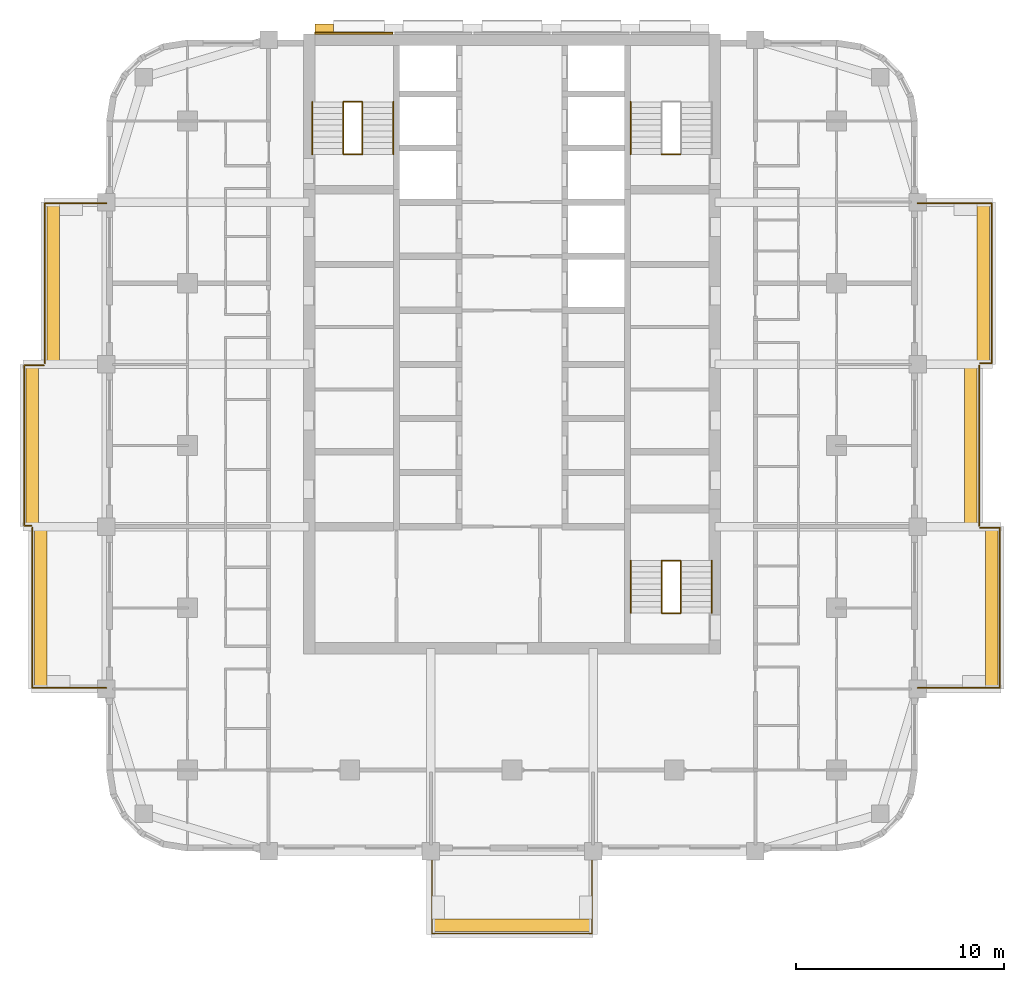
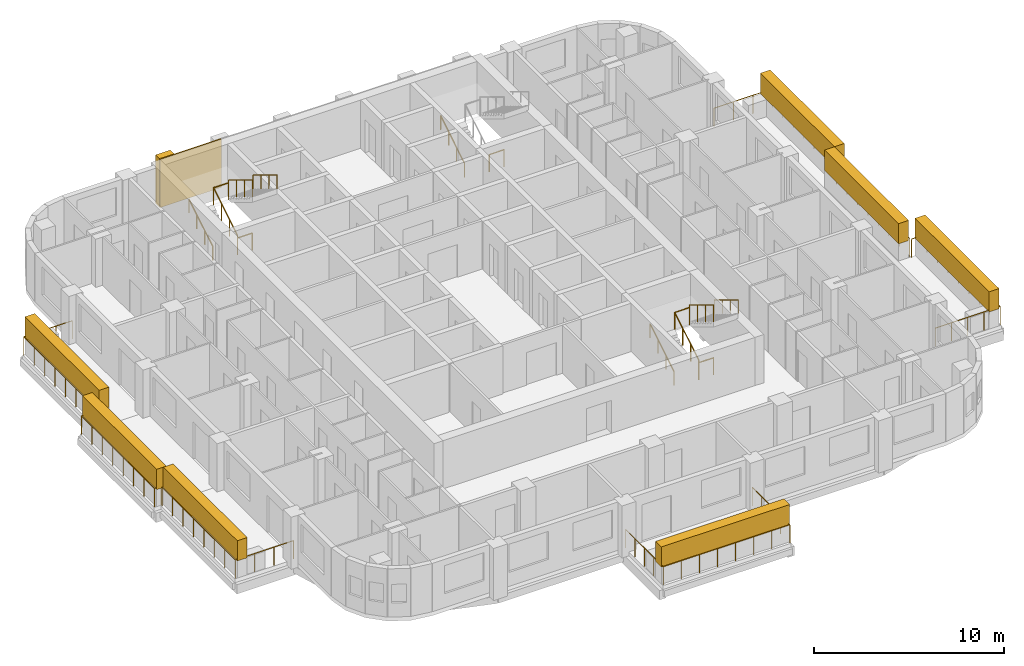
# One storey, part 13 of 14: 21 railings, 9 coverings, 3 elements without a shape of their own.
"""IFC4 building model written with IfcOpenShell, lengths in metres."""

from ifc_helpers import new_model, si_unit, direction, frame, origin, origin_2d, place, context, subcontext, project, spatial, rectangle, circle, extrude, material, layer, layer_set, type_object, element, aggregate, save


model = new_model("IFC4")

# Units and contexts
model_context = context("Model", 3, precision=1e-05, world=origin(), true_north=direction((0.0, 1.0)))
body_context = subcontext(model_context, "Body", "Model", "MODEL_VIEW")
ifc_project = project(units=[si_unit("LENGTHUNIT", "METRE"), si_unit("AREAUNIT", "SQUARE_METRE"), si_unit("VOLUMEUNIT", "CUBIC_METRE"), si_unit("PLANEANGLEUNIT", "RADIAN"), si_unit("MASSUNIT", "GRAM", prefix="KILO")], contexts=[model_context])

# Site, building, storey
site_placement = place(None, origin())
site = spatial("IfcSite", under=ifc_project, at=site_placement, CompositionType="ELEMENT")
building_placement = place(site_placement, origin())
building = spatial("IfcBuilding", under=site, at=building_placement, Name="Ludao Terraces", CompositionType="ELEMENT")
storey_placement = place(building_placement, frame((0.0, 0.0, 140.699951171875)))
storey = spatial("IfcBuildingStorey", under=building, at=storey_placement, Name="L38", CompositionType="ELEMENT", Elevation=140.699951171875)

# Railings
ifc_material_1 = material(Name="Stainless steel 304", Category="steel")
railing_type_1 = type_object("IfcRailingType", Name="ENV Balcony glass guard 1200", PredefinedType="GUARDRAIL", material=ifc_material_1)
railing_1_placement = place(storey_placement, frame((81.14990234375, 45.5, 0.0)))
element("IfcRailing", 1, at=railing_1_placement, inside=storey, type_object=railing_type_1, Name="Balcony guard L38 S1", PredefinedType="GUARDRAIL", context=body_context, shape_type="SweptSolid", body=[
    extrude(circle(Radius=0.02392578125, at=origin_2d()), frame((0.0, 0.0, 1.17578125), z_axis=(0.0, -1.0, 0.0), x_axis=(1.0, 0.0, 0.0)), (0.0, 0.0, 1.0), 3.949951171875),
    extrude(circle(Radius=0.02392578125, at=origin_2d()), frame((0.0, -3.949951171875, 1.17578125), z_axis=(1.0, 0.0, 0.0), x_axis=(0.0, 1.0, 0.0)), (0.0, 0.0, 1.0), 7.7001953125),
    extrude(circle(Radius=0.02392578125, at=origin_2d()), frame((7.7001953125, -3.949951171875, 1.17578125), z_axis=(0.0, 1.0, 0.0), x_axis=(-1.0, 0.0, 0.0)), (0.0, 0.0, 1.0), 3.949951171875),
    extrude(circle(Radius=0.02099609375, at=origin_2d()), origin(), (0.0, 0.0, 1.0), 1.15185546875),
    extrude(circle(Radius=0.02099609375, at=origin_2d()), frame((0.0, -0.987548828125, 0.0)), (0.0, 0.0, 1.0), 1.15185546875),
    extrude(circle(Radius=0.02099609375, at=origin_2d()), frame((0.0, -1.97509765625, 0.0)), (0.0, 0.0, 1.0), 1.15185546875),
    extrude(circle(Radius=0.02099609375, at=origin_2d()), frame((0.0, -2.96240234375, 0.0)), (0.0, 0.0, 1.0), 1.15185546875),
    extrude(circle(Radius=0.02099609375, at=origin_2d()), frame((0.0, -3.949951171875, 0.0)), (0.0, 0.0, 1.0), 1.15185546875),
    extrude(circle(Radius=0.02099609375, at=origin_2d()), frame((1.10009765625, -3.949951171875, 0.0)), (0.0, 0.0, 1.0), 1.15185546875),
    extrude(circle(Radius=0.02099609375, at=origin_2d()), frame((2.199951171875, -3.949951171875, 0.0)), (0.0, 0.0, 1.0), 1.15185546875),
    extrude(circle(Radius=0.02099609375, at=origin_2d()), frame((3.300048828125, -3.949951171875, 0.0)), (0.0, 0.0, 1.0), 1.15185546875),
    extrude(circle(Radius=0.02099609375, at=origin_2d()), frame((4.400146484375, -3.949951171875, 0.0)), (0.0, 0.0, 1.0), 1.15185546875),
    extrude(circle(Radius=0.02099609375, at=origin_2d()), frame((5.500244140625, -3.949951171875, 0.0)), (0.0, 0.0, 1.0), 1.15185546875),
    extrude(circle(Radius=0.02099609375, at=origin_2d()), frame((6.60009765625, -3.949951171875, 0.0)), (0.0, 0.0, 1.0), 1.15185546875),
    extrude(circle(Radius=0.02099609375, at=origin_2d()), frame((7.7001953125, -3.949951171875, 0.0)), (0.0, 0.0, 1.0), 1.15185546875),
    extrude(circle(Radius=0.02099609375, at=origin_2d()), frame((7.7001953125, -2.96240234375, 0.0)), (0.0, 0.0, 1.0), 1.15185546875),
    extrude(circle(Radius=0.02099609375, at=origin_2d()), frame((7.7001953125, -1.97509765625, 0.0)), (0.0, 0.0, 1.0), 1.15185546875),
    extrude(circle(Radius=0.02099609375, at=origin_2d()), frame((7.7001953125, -0.987548828125, 0.0)), (0.0, 0.0, 1.0), 1.15185546875),
    extrude(circle(Radius=0.02099609375, at=origin_2d()), frame((7.7001953125, 0.0, 0.0)), (0.0, 0.0, 1.0), 1.15185546875),
])
railing_2_placement = place(storey_placement, frame((104.5, 53.35009765625, 0.0)))
element("IfcRailing", 2, at=railing_2_placement, inside=storey, type_object=railing_type_1, Name="Balcony guard L38 E1", PredefinedType="GUARDRAIL", context=body_context, shape_type="SweptSolid", body=[
    extrude(circle(Radius=0.02392578125, at=origin_2d()), frame((0.0, 0.0, 1.17578125), z_axis=(1.0, 0.0, 0.0), x_axis=(0.0, 1.0, 0.0)), (0.0, 0.0, 1.0), 3.949951171875),
    extrude(circle(Radius=0.02392578125, at=origin_2d()), frame((3.949951171875, 0.0, 1.17578125), z_axis=(0.0, 1.0, 0.0), x_axis=(-1.0, 0.0, 0.0)), (0.0, 0.0, 1.0), 7.699951171875),
    extrude(circle(Radius=0.02392578125, at=origin_2d()), frame((3.949951171875, 7.699951171875, 1.17578125), z_axis=(-1.0, 0.0, 0.0), x_axis=(0.0, -1.0, 0.0)), (0.0, 0.0, 1.0), 0.949951171875),
    extrude(circle(Radius=0.02099609375, at=origin_2d()), origin(), (0.0, 0.0, 1.0), 1.15185546875),
    extrude(circle(Radius=0.02099609375, at=origin_2d()), frame((0.987548828125, 0.0, 0.0)), (0.0, 0.0, 1.0), 1.15185546875),
    extrude(circle(Radius=0.02099609375, at=origin_2d()), frame((1.97509765625, 0.0, 0.0)), (0.0, 0.0, 1.0), 1.15185546875),
    extrude(circle(Radius=0.02099609375, at=origin_2d()), frame((2.96240234375, 0.0, 0.0)), (0.0, 0.0, 1.0), 1.15185546875),
    extrude(circle(Radius=0.02099609375, at=origin_2d()), frame((3.949951171875, 0.0, 0.0)), (0.0, 0.0, 1.0), 1.15185546875),
    extrude(circle(Radius=0.02099609375, at=origin_2d()), frame((3.949951171875, 1.10009765625, 0.0)), (0.0, 0.0, 1.0), 1.15185546875),
    extrude(circle(Radius=0.02099609375, at=origin_2d()), frame((3.949951171875, 2.199951171875, 0.0)), (0.0, 0.0, 1.0), 1.15185546875),
    extrude(circle(Radius=0.02099609375, at=origin_2d()), frame((3.949951171875, 3.300048828125, 0.0)), (0.0, 0.0, 1.0), 1.15185546875),
    extrude(circle(Radius=0.02099609375, at=origin_2d()), frame((3.949951171875, 4.39990234375, 0.0)), (0.0, 0.0, 1.0), 1.15185546875),
    extrude(circle(Radius=0.02099609375, at=origin_2d()), frame((3.949951171875, 5.5, 0.0)), (0.0, 0.0, 1.0), 1.15185546875),
    extrude(circle(Radius=0.02099609375, at=origin_2d()), frame((3.949951171875, 6.599853515625, 0.0)), (0.0, 0.0, 1.0), 1.15185546875),
    extrude(circle(Radius=0.02099609375, at=origin_2d()), frame((3.949951171875, 7.699951171875, 0.0)), (0.0, 0.0, 1.0), 1.15185546875),
    extrude(circle(Radius=0.02099609375, at=origin_2d()), frame((3.0, 7.699951171875, 0.0)), (0.0, 0.0, 1.0), 1.15185546875),
])
railing_3_placement = place(storey_placement, frame((107.449951171875, 61.14990234375, 0.0)))
element("IfcRailing", 3, at=railing_3_placement, inside=storey, type_object=railing_type_1, Name="Balcony guard L38 E2", PredefinedType="GUARDRAIL", context=body_context, shape_type="SweptSolid", body=[
    extrude(circle(Radius=0.02392578125, at=origin_2d()), frame((0.0, 0.0, 1.17578125), z_axis=(0.0, 1.0, 0.0), x_axis=(-1.0, 0.0, 0.0)), (0.0, 0.0, 1.0), 7.7001953125),
    extrude(circle(Radius=0.02099609375, at=origin_2d()), origin(), (0.0, 0.0, 1.0), 1.15185546875),
    extrude(circle(Radius=0.02099609375, at=origin_2d()), frame((0.0, 1.10009765625, 0.0)), (0.0, 0.0, 1.0), 1.15185546875),
    extrude(circle(Radius=0.02099609375, at=origin_2d()), frame((0.0, 2.199951171875, 0.0)), (0.0, 0.0, 1.0), 1.15185546875),
    extrude(circle(Radius=0.02099609375, at=origin_2d()), frame((0.0, 3.300048828125, 0.0)), (0.0, 0.0, 1.0), 1.15185546875),
    extrude(circle(Radius=0.02099609375, at=origin_2d()), frame((0.0, 4.400146484375, 0.0)), (0.0, 0.0, 1.0), 1.15185546875),
    extrude(circle(Radius=0.02099609375, at=origin_2d()), frame((0.0, 5.500244140625, 0.0)), (0.0, 0.0, 1.0), 1.15185546875),
    extrude(circle(Radius=0.02099609375, at=origin_2d()), frame((0.0, 6.60009765625, 0.0)), (0.0, 0.0, 1.0), 1.15185546875),
    extrude(circle(Radius=0.02099609375, at=origin_2d()), frame((0.0, 7.7001953125, 0.0)), (0.0, 0.0, 1.0), 1.15185546875),
])
railing_4_placement = place(storey_placement, frame((107.5, 68.949951171875, 0.0)))
element("IfcRailing", 4, at=railing_4_placement, inside=storey, type_object=railing_type_1, Name="Balcony guard L38 E3", PredefinedType="GUARDRAIL", context=body_context, shape_type="SweptSolid", body=[
    extrude(circle(Radius=0.02392578125, at=origin_2d()), frame((0.0, 0.0, 1.17578125), z_axis=(1.0, 0.0, 0.0), x_axis=(0.0, 1.0, 0.0)), (0.0, 0.0, 1.0), 0.550048828125),
    extrude(circle(Radius=0.02392578125, at=origin_2d()), frame((0.550048828125, 0.0, 1.17578125), z_axis=(0.0, 1.0, 0.0), x_axis=(-1.0, 0.0, 0.0)), (0.0, 0.0, 1.0), 7.699951171875),
    extrude(circle(Radius=0.02392578125, at=origin_2d()), frame((0.550048828125, 7.699951171875, 1.17578125), z_axis=(-1.0, 0.0, 0.0), x_axis=(0.0, -1.0, 0.0)), (0.0, 0.0, 1.0), 3.550048828125),
    extrude(circle(Radius=0.02099609375, at=origin_2d()), origin(), (0.0, 0.0, 1.0), 1.15185546875),
    extrude(circle(Radius=0.02099609375, at=origin_2d()), frame((0.550048828125, 0.0, 0.0)), (0.0, 0.0, 1.0), 1.15185546875),
    extrude(circle(Radius=0.02099609375, at=origin_2d()), frame((0.550048828125, 1.10009765625, 0.0)), (0.0, 0.0, 1.0), 1.15185546875),
    extrude(circle(Radius=0.02099609375, at=origin_2d()), frame((0.550048828125, 2.199951171875, 0.0)), (0.0, 0.0, 1.0), 1.15185546875),
    extrude(circle(Radius=0.02099609375, at=origin_2d()), frame((0.550048828125, 3.300048828125, 0.0)), (0.0, 0.0, 1.0), 1.15185546875),
    extrude(circle(Radius=0.02099609375, at=origin_2d()), frame((0.550048828125, 4.39990234375, 0.0)), (0.0, 0.0, 1.0), 1.15185546875),
    extrude(circle(Radius=0.02099609375, at=origin_2d()), frame((0.550048828125, 5.5, 0.0)), (0.0, 0.0, 1.0), 1.15185546875),
    extrude(circle(Radius=0.02099609375, at=origin_2d()), frame((0.550048828125, 6.599853515625, 0.0)), (0.0, 0.0, 1.0), 1.15185546875),
    extrude(circle(Radius=0.02099609375, at=origin_2d()), frame((0.550048828125, 7.699951171875, 0.0)), (0.0, 0.0, 1.0), 1.15185546875),
    extrude(circle(Radius=0.02099609375, at=origin_2d()), frame((-0.63330078125, 7.699951171875, 0.0)), (0.0, 0.0, 1.0), 1.15185546875),
    extrude(circle(Radius=0.02099609375, at=origin_2d()), frame((-1.816650390625, 7.699951171875, 0.0)), (0.0, 0.0, 1.0), 1.15185546875),
    extrude(circle(Radius=0.02099609375, at=origin_2d()), frame((-3.0, 7.699951171875, 0.0)), (0.0, 0.0, 1.0), 1.15185546875),
])
railing_5_placement = place(storey_placement, frame((65.5, 53.35009765625, 0.0)))
element("IfcRailing", 5, at=railing_5_placement, inside=storey, type_object=railing_type_1, Name="Balcony guard L38 W1", PredefinedType="GUARDRAIL", context=body_context, shape_type="SweptSolid", body=[
    extrude(circle(Radius=0.02392578125, at=origin_2d()), frame((0.0, 0.0, 1.17578125), z_axis=(-1.0, 0.0, 0.0), x_axis=(0.0, -1.0, 0.0)), (0.0, 0.0, 1.0), 3.550048828125),
    extrude(circle(Radius=0.02392578125, at=origin_2d()), frame((-3.550048828125, 0.0, 1.17578125), z_axis=(0.0, 1.0, 0.0), x_axis=(-1.0, 0.0, 0.0)), (0.0, 0.0, 1.0), 7.699951171875),
    extrude(circle(Radius=0.02099609375, at=origin_2d()), origin(), (0.0, 0.0, 1.0), 1.15185546875),
    extrude(circle(Radius=0.02099609375, at=origin_2d()), frame((-1.183349609375, 0.0, 0.0)), (0.0, 0.0, 1.0), 1.15185546875),
    extrude(circle(Radius=0.02099609375, at=origin_2d()), frame((-2.36669921875, 0.0, 0.0)), (0.0, 0.0, 1.0), 1.15185546875),
    extrude(circle(Radius=0.02099609375, at=origin_2d()), frame((-3.550048828125, 0.0, 0.0)), (0.0, 0.0, 1.0), 1.15185546875),
    extrude(circle(Radius=0.02099609375, at=origin_2d()), frame((-3.550048828125, 1.10009765625, 0.0)), (0.0, 0.0, 1.0), 1.15185546875),
    extrude(circle(Radius=0.02099609375, at=origin_2d()), frame((-3.550048828125, 2.199951171875, 0.0)), (0.0, 0.0, 1.0), 1.15185546875),
    extrude(circle(Radius=0.02099609375, at=origin_2d()), frame((-3.550048828125, 3.300048828125, 0.0)), (0.0, 0.0, 1.0), 1.15185546875),
    extrude(circle(Radius=0.02099609375, at=origin_2d()), frame((-3.550048828125, 4.39990234375, 0.0)), (0.0, 0.0, 1.0), 1.15185546875),
    extrude(circle(Radius=0.02099609375, at=origin_2d()), frame((-3.550048828125, 5.5, 0.0)), (0.0, 0.0, 1.0), 1.15185546875),
    extrude(circle(Radius=0.02099609375, at=origin_2d()), frame((-3.550048828125, 6.599853515625, 0.0)), (0.0, 0.0, 1.0), 1.15185546875),
    extrude(circle(Radius=0.02099609375, at=origin_2d()), frame((-3.550048828125, 7.699951171875, 0.0)), (0.0, 0.0, 1.0), 1.15185546875),
])
railing_6_placement = place(storey_placement, frame((61.89990234375, 61.14990234375, 0.0)))
element("IfcRailing", 6, at=railing_6_placement, inside=storey, type_object=railing_type_1, Name="Balcony guard L38 W2", PredefinedType="GUARDRAIL", context=body_context, shape_type="SweptSolid", body=[
    extrude(circle(Radius=0.02392578125, at=origin_2d()), frame((0.0, 0.0, 1.17578125), z_axis=(-1.0, 0.0, 0.0), x_axis=(0.0, -1.0, 0.0)), (0.0, 0.0, 1.0), 0.349853515625),
    extrude(circle(Radius=0.02392578125, at=origin_2d()), frame((-0.349853515625, 0.0, 1.17578125), z_axis=(0.0, 1.0, 0.0), x_axis=(-1.0, 0.0, 0.0)), (0.0, 0.0, 1.0), 7.7001953125),
    extrude(circle(Radius=0.02392578125, at=origin_2d()), frame((-0.349853515625, 7.7001953125, 1.17578125), z_axis=(1.0, 0.0, 0.0), x_axis=(0.0, 1.0, 0.0)), (0.0, 0.0, 1.0), 0.949951171875),
    extrude(circle(Radius=0.02099609375, at=origin_2d()), origin(), (0.0, 0.0, 1.0), 1.15185546875),
    extrude(circle(Radius=0.02099609375, at=origin_2d()), frame((-0.349853515625, 0.0, 0.0)), (0.0, 0.0, 1.0), 1.15185546875),
    extrude(circle(Radius=0.02099609375, at=origin_2d()), frame((-0.349853515625, 1.10009765625, 0.0)), (0.0, 0.0, 1.0), 1.15185546875),
    extrude(circle(Radius=0.02099609375, at=origin_2d()), frame((-0.349853515625, 2.199951171875, 0.0)), (0.0, 0.0, 1.0), 1.15185546875),
    extrude(circle(Radius=0.02099609375, at=origin_2d()), frame((-0.349853515625, 3.300048828125, 0.0)), (0.0, 0.0, 1.0), 1.15185546875),
    extrude(circle(Radius=0.02099609375, at=origin_2d()), frame((-0.349853515625, 4.400146484375, 0.0)), (0.0, 0.0, 1.0), 1.15185546875),
    extrude(circle(Radius=0.02099609375, at=origin_2d()), frame((-0.349853515625, 5.500244140625, 0.0)), (0.0, 0.0, 1.0), 1.15185546875),
    extrude(circle(Radius=0.02099609375, at=origin_2d()), frame((-0.349853515625, 6.60009765625, 0.0)), (0.0, 0.0, 1.0), 1.15185546875),
    extrude(circle(Radius=0.02099609375, at=origin_2d()), frame((-0.349853515625, 7.7001953125, 0.0)), (0.0, 0.0, 1.0), 1.15185546875),
    extrude(circle(Radius=0.02099609375, at=origin_2d()), frame((0.60009765625, 7.7001953125, 0.0)), (0.0, 0.0, 1.0), 1.15185546875),
])
railing_7_placement = place(storey_placement, frame((62.550048828125, 68.949951171875, 0.0)))
element("IfcRailing", 7, at=railing_7_placement, inside=storey, type_object=railing_type_1, Name="Balcony guard L38 W3", PredefinedType="GUARDRAIL", context=body_context, shape_type="SweptSolid", body=[
    extrude(circle(Radius=0.02392578125, at=origin_2d()), frame((0.0, 0.0, 1.17578125), z_axis=(0.0, 1.0, 0.0), x_axis=(-1.0, 0.0, 0.0)), (0.0, 0.0, 1.0), 7.699951171875),
    extrude(circle(Radius=0.02392578125, at=origin_2d()), frame((0.0, 7.699951171875, 1.17578125), z_axis=(1.0, 0.0, 0.0), x_axis=(0.0, 1.0, 0.0)), (0.0, 0.0, 1.0), 2.949951171875),
    extrude(circle(Radius=0.02099609375, at=origin_2d()), origin(), (0.0, 0.0, 1.0), 1.15185546875),
    extrude(circle(Radius=0.02099609375, at=origin_2d()), frame((0.0, 1.10009765625, 0.0)), (0.0, 0.0, 1.0), 1.15185546875),
    extrude(circle(Radius=0.02099609375, at=origin_2d()), frame((0.0, 2.199951171875, 0.0)), (0.0, 0.0, 1.0), 1.15185546875),
    extrude(circle(Radius=0.02099609375, at=origin_2d()), frame((0.0, 3.300048828125, 0.0)), (0.0, 0.0, 1.0), 1.15185546875),
    extrude(circle(Radius=0.02099609375, at=origin_2d()), frame((0.0, 4.39990234375, 0.0)), (0.0, 0.0, 1.0), 1.15185546875),
    extrude(circle(Radius=0.02099609375, at=origin_2d()), frame((0.0, 5.5, 0.0)), (0.0, 0.0, 1.0), 1.15185546875),
    extrude(circle(Radius=0.02099609375, at=origin_2d()), frame((0.0, 6.599853515625, 0.0)), (0.0, 0.0, 1.0), 1.15185546875),
    extrude(circle(Radius=0.02099609375, at=origin_2d()), frame((0.0, 7.699951171875, 0.0)), (0.0, 0.0, 1.0), 1.15185546875),
    extrude(circle(Radius=0.02099609375, at=origin_2d()), frame((0.9833984375, 7.699951171875, 0.0)), (0.0, 0.0, 1.0), 1.15185546875),
    extrude(circle(Radius=0.02099609375, at=origin_2d()), frame((1.966552734375, 7.699951171875, 0.0)), (0.0, 0.0, 1.0), 1.15185546875),
    extrude(circle(Radius=0.02099609375, at=origin_2d()), frame((2.949951171875, 7.699951171875, 0.0)), (0.0, 0.0, 1.0), 1.15185546875),
])

# Coverings
ifc_material_2 = material(Name="Granite cladding", Category="masonry")
ifc_layer_1 = layer(ifc_material_2, 0.39990234375)
ifc_layer_set_1 = layer_set([ifc_layer_1], Name="ENV Core pilaster stone 400")
covering_type_1 = type_object("IfcCoveringType", Name="ENV Core pilaster stone 400", PredefinedType="CLADDING", material=ifc_layer_set_1)
covering_1_placement = place(storey_placement, frame((75.97509765625, 85.054931640625, 0.0), z_axis=(0.0, 0.0, 1.0), x_axis=(1.0, 0.0, 0.0)))
element("IfcCovering", 8, at=covering_1_placement, inside=storey, type_object=covering_type_1, Name="CC-L38-PIL1", PredefinedType="CLADDING", context=body_context, shape_type="SweptSolid", body=[
    extrude(rectangle(XDim=0.89990234375, YDim=0.39990234375, at=origin_2d()), origin(), (0.0, 0.0, 1.0), 3.10009765625),
])
ifc_layer_2 = layer(ifc_material_2, 0.080078125)
ifc_layer_set_2 = layer_set([ifc_layer_2], Name="ENV Core stone cladding panel 80")
covering_type_2 = type_object("IfcCoveringType", Name="ENV Core stone cladding panel 80", PredefinedType="CLADDING", material=ifc_layer_set_2)
covering_2_placement = place(storey_placement, frame((77.39501953125, 84.81494140625, 0.0), z_axis=(0.0, 0.0, 1.0), x_axis=(1.0, 0.0, 0.0)))
element("IfcCovering", 9, at=covering_2_placement, inside=storey, type_object=covering_type_2, Name="CC-L38-CORE1", PredefinedType="CLADDING", context=body_context, shape_type="SweptSolid", body=[
    extrude(rectangle(XDim=3.739990234375, YDim=0.080078125, at=origin_2d()), origin(), (0.0, 0.0, 1.0), 3.10009765625),
])
ifc_material_3 = material(Name="Planting")
ifc_layer_3 = layer(ifc_material_3, 0.60009765625)
ifc_layer_set_3 = layer_set([ifc_layer_3], Name="ENV Planting hedge 600x1300")
covering_type_3 = type_object("IfcCoveringType", Name="ENV Planting hedge 600x1300", PredefinedType="USERDEFINED", material=ifc_layer_set_3)
covering_3_placement = place(storey_placement, frame((85.0, 41.949951171875, 1.10009765625), z_axis=(0.0, 0.0, 1.0), x_axis=(1.0, 0.0, 0.0)))
element("IfcCovering", 10, at=covering_3_placement, inside=storey, type_object=covering_type_3, Name="Planting hedge L38-S1", ObjectType="PLANTING", PredefinedType="USERDEFINED", context=body_context, shape_type="SweptSolid", body=[
    extrude(rectangle(XDim=7.800048828125, YDim=0.60009765625, at=origin_2d()), origin(), (0.0, 0.0, 1.0), 1.300048828125),
])
for number, where, z_axis, x_axis, name in (
    (11, (108.050048828125, 57.199951171875, 1.10009765625), (0.0, 0.0, 1.0), (1.0, 0.0, 0.0), "Planting hedge L38-E1"),
    (12, (107.050048828125, 65.0, 1.10009765625), (0.0, 0.0, 1.0), (1.0, 0.0, 0.0), "Planting hedge L38-E2"),
    (13, (107.64990234375, 72.800048828125, 1.10009765625), (0.0, 0.0, 1.0), (1.0, 0.0, 0.0), "Planting hedge L38-E3"),
    (14, (62.35009765625, 57.199951171875, 1.10009765625), (0.0, 0.0, 1.0), (1.0, 0.0, 0.0), "Planting hedge L38-W1"),
    (15, (61.949951171875, 65.0, 1.10009765625), (0.0, 0.0, 1.0), (1.0, 0.0, 0.0), "Planting hedge L38-W2"),
    (16, (62.949951171875, 72.800048828125, 1.10009765625), (0.0, 0.0, 1.0), (1.0, 0.0, 0.0), "Planting hedge L38-W3"),
):
    element("IfcCovering", number, at=place(storey_placement, frame(where, z_axis=z_axis, x_axis=x_axis)), inside=storey, type_object=covering_type_3, Name=name, ObjectType="PLANTING", PredefinedType="USERDEFINED", context=body_context, shape_type="SweptSolid", body=[
        extrude(rectangle(XDim=0.60009765625, YDim=7.800048828125, at=origin_2d()), origin(), (0.0, 0.0, 1.0), 1.300048828125),
    ])

# Stair, railings
ifc_material_4 = material(Name="Concrete C40", Category="concrete")
stair_type = type_object("IfcStairType", Name="INT Stair", PredefinedType="HALF_TURN_STAIR", material=ifc_material_4)
stair_1_placement = place(storey_placement, origin())
stair_1 = element("IfcStair", 17, at=stair_1_placement, inside=storey, type_object=stair_type, Name="EXIT STAIR 1", PredefinedType="HALF_TURN_STAIR")
railing_type_2 = type_object("IfcRailingType", Name="INT Stair guard 1100", PredefinedType="GUARDRAIL", material=ifc_material_1)
railing_8_placement = place(storey_placement, frame((76.89990234375, 79.0, 0.170166015625)))
railing_8 = element("IfcRailing", 18, at=railing_8_placement, type_object=railing_type_2, Name="ST-L38-S1-R1G", PredefinedType="GUARDRAIL", context=body_context, shape_type="SweptSolid", body=[
    extrude(circle(Radius=0.02392578125, at=origin_2d()), frame((0.0, 0.0, 1.076171875), z_axis=(0.0, 0.854821627497, 0.518921945155), x_axis=(-1.0, 0.0, 0.0)), (0.0, 0.0, 1.0), 2.947998046875),
    extrude(circle(Radius=0.02099609375, at=origin_2d()), origin(), (0.0, 0.0, 1.0), 1.052001953125),
    extrude(circle(Radius=0.02099609375, at=origin_2d()), frame((0.0, 0.840087890625, 0.510009765625)), (0.0, 0.0, 1.0), 1.052001953125),
    extrude(circle(Radius=0.02099609375, at=origin_2d()), frame((0.0, 1.679931640625, 1.019775390625)), (0.0, 0.0, 1.0), 1.052001953125),
    extrude(circle(Radius=0.02099609375, at=origin_2d()), frame((0.0, 2.52001953125, 1.52978515625)), (0.0, 0.0, 1.0), 1.052001953125),
])
railing_9_placement = place(storey_placement, frame((77.800048828125, 81.52001953125, 1.8701171875)))
railing_9 = element("IfcRailing", 19, at=railing_9_placement, type_object=railing_type_2, Name="ST-L38-S1-R2G", PredefinedType="GUARDRAIL", context=body_context, shape_type="SweptSolid", body=[
    extrude(circle(Radius=0.02392578125, at=origin_2d()), frame((0.0, 0.0, 1.076171875), z_axis=(0.0, -0.85478489116, 0.518982456201), x_axis=(1.0, 0.0, 0.0)), (0.0, 0.0, 1.0), 2.9482421875),
    extrude(circle(Radius=0.02099609375, at=origin_2d()), origin(), (0.0, 0.0, 1.0), 1.052001953125),
    extrude(circle(Radius=0.02099609375, at=origin_2d()), frame((0.0, -0.840087890625, 0.510009765625)), (0.0, 0.0, 1.0), 1.052001953125),
    extrude(circle(Radius=0.02099609375, at=origin_2d()), frame((0.0, -1.679931640625, 1.02001953125)), (0.0, 0.0, 1.0), 1.052001953125),
    extrude(circle(Radius=0.02099609375, at=origin_2d()), frame((0.0, -2.52001953125, 1.530029296875)), (0.0, 0.0, 1.0), 1.052001953125),
])
railing_10_placement = place(storey_placement, frame((76.89990234375, 81.52001953125, 1.699951171875)))
railing_10 = element("IfcRailing", 20, at=railing_10_placement, type_object=railing_type_2, Name="ST-L38-S1-E1G", PredefinedType="GUARDRAIL", context=body_context, shape_type="SweptSolid", body=[
    extrude(circle(Radius=0.02392578125, at=origin_2d()), frame((0.0, 0.0, 1.076171875), z_axis=(1.0, 0.0, 0.0), x_axis=(0.0, 1.0, 0.0)), (0.0, 0.0, 1.0), 0.900146484375),
    extrude(circle(Radius=0.02099609375, at=origin_2d()), origin(), (0.0, 0.0, 1.0), 1.052001953125),
    extrude(circle(Radius=0.02099609375, at=origin_2d()), frame((0.900146484375, 0.0, 0.0)), (0.0, 0.0, 1.0), 1.052001953125),
])
railing_11_placement = place(storey_placement, frame((76.89990234375, 79.0, 0.0)))
railing_11 = element("IfcRailing", 21, at=railing_11_placement, type_object=railing_type_2, Name="ST-L38-S1-E2G", PredefinedType="GUARDRAIL", context=body_context, shape_type="SweptSolid", body=[
    extrude(circle(Radius=0.02392578125, at=origin_2d()), frame((0.0, 0.0, 1.076171875), z_axis=(1.0, 0.0, 0.0), x_axis=(0.0, 1.0, 0.0)), (0.0, 0.0, 1.0), 0.900146484375),
    extrude(circle(Radius=0.02099609375, at=origin_2d()), origin(), (0.0, 0.0, 1.0), 1.052001953125),
    extrude(circle(Radius=0.02099609375, at=origin_2d()), frame((0.900146484375, 0.0, 0.0)), (0.0, 0.0, 1.0), 1.052001953125),
])

# Stair, railing
stair_2_placement = place(storey_placement, origin())
stair_2 = element("IfcStair", 22, at=stair_2_placement, inside=storey, type_object=stair_type, Name="EXIT STAIR 2", PredefinedType="HALF_TURN_STAIR")
railing_12_placement = place(storey_placement, frame((92.199951171875, 79.0, 0.0)))
railing_12 = element("IfcRailing", 23, at=railing_12_placement, type_object=railing_type_2, Name="ST-L38-S2-E2G", PredefinedType="GUARDRAIL", context=body_context, shape_type="SweptSolid", body=[
    extrude(circle(Radius=0.02392578125, at=origin_2d()), frame((0.0, 0.0, 1.076171875), z_axis=(1.0, 0.0, 0.0), x_axis=(0.0, 1.0, 0.0)), (0.0, 0.0, 1.0), 0.900146484375),
    extrude(circle(Radius=0.02099609375, at=origin_2d()), origin(), (0.0, 0.0, 1.0), 1.052001953125),
    extrude(circle(Radius=0.02099609375, at=origin_2d()), frame((0.900146484375, 0.0, 0.0)), (0.0, 0.0, 1.0), 1.052001953125),
])

# Stair, railings
stair_3_placement = place(storey_placement, origin())
stair_3 = element("IfcStair", 24, at=stair_3_placement, inside=storey, type_object=stair_type, Name="EXIT STAIR 3", PredefinedType="HALF_TURN_STAIR")
railing_13_placement = place(storey_placement, frame((92.199951171875, 56.949951171875, 0.170166015625)))
railing_13 = element("IfcRailing", 25, at=railing_13_placement, type_object=railing_type_2, Name="ST-L38-S3-R1G", PredefinedType="GUARDRAIL", context=body_context, shape_type="SweptSolid", body=[
    extrude(circle(Radius=0.02392578125, at=origin_2d()), frame((0.0, 0.0, 1.076171875), z_axis=(0.0, 0.854821627497, 0.518921945155), x_axis=(-1.0, 0.0, 0.0)), (0.0, 0.0, 1.0), 2.947998046875),
    extrude(circle(Radius=0.02099609375, at=origin_2d()), origin(), (0.0, 0.0, 1.0), 1.052001953125),
    extrude(circle(Radius=0.02099609375, at=origin_2d()), frame((0.0, 0.840087890625, 0.510009765625)), (0.0, 0.0, 1.0), 1.052001953125),
    extrude(circle(Radius=0.02099609375, at=origin_2d()), frame((0.0, 1.679931640625, 1.019775390625)), (0.0, 0.0, 1.0), 1.052001953125),
    extrude(circle(Radius=0.02099609375, at=origin_2d()), frame((0.0, 2.52001953125, 1.52978515625)), (0.0, 0.0, 1.0), 1.052001953125),
])
railing_14_placement = place(storey_placement, frame((93.10009765625, 59.469970703125, 1.8701171875)))
railing_14 = element("IfcRailing", 26, at=railing_14_placement, type_object=railing_type_2, Name="ST-L38-S3-R2G", PredefinedType="GUARDRAIL", context=body_context, shape_type="SweptSolid", body=[
    extrude(circle(Radius=0.02392578125, at=origin_2d()), frame((0.0, 0.0, 1.076171875), z_axis=(0.0, -0.85478489116, 0.518982456201), x_axis=(1.0, 0.0, 0.0)), (0.0, 0.0, 1.0), 2.9482421875),
    extrude(circle(Radius=0.02099609375, at=origin_2d()), origin(), (0.0, 0.0, 1.0), 1.052001953125),
    extrude(circle(Radius=0.02099609375, at=origin_2d()), frame((0.0, -0.840087890625, 0.510009765625)), (0.0, 0.0, 1.0), 1.052001953125),
    extrude(circle(Radius=0.02099609375, at=origin_2d()), frame((0.0, -1.679931640625, 1.02001953125)), (0.0, 0.0, 1.0), 1.052001953125),
    extrude(circle(Radius=0.02099609375, at=origin_2d()), frame((0.0, -2.52001953125, 1.530029296875)), (0.0, 0.0, 1.0), 1.052001953125),
])
railing_15_placement = place(storey_placement, frame((92.199951171875, 59.469970703125, 1.699951171875)))
railing_15 = element("IfcRailing", 27, at=railing_15_placement, type_object=railing_type_2, Name="ST-L38-S3-E1G", PredefinedType="GUARDRAIL", context=body_context, shape_type="SweptSolid", body=[
    extrude(circle(Radius=0.02392578125, at=origin_2d()), frame((0.0, 0.0, 1.076171875), z_axis=(1.0, 0.0, 0.0), x_axis=(0.0, 1.0, 0.0)), (0.0, 0.0, 1.0), 0.900146484375),
    extrude(circle(Radius=0.02099609375, at=origin_2d()), origin(), (0.0, 0.0, 1.0), 1.052001953125),
    extrude(circle(Radius=0.02099609375, at=origin_2d()), frame((0.900146484375, 0.0, 0.0)), (0.0, 0.0, 1.0), 1.052001953125),
])
railing_16_placement = place(storey_placement, frame((92.199951171875, 56.949951171875, 0.0)))
railing_16 = element("IfcRailing", 28, at=railing_16_placement, type_object=railing_type_2, Name="ST-L38-S3-E2G", PredefinedType="GUARDRAIL", context=body_context, shape_type="SweptSolid", body=[
    extrude(circle(Radius=0.02392578125, at=origin_2d()), frame((0.0, 0.0, 1.076171875), z_axis=(1.0, 0.0, 0.0), x_axis=(0.0, 1.0, 0.0)), (0.0, 0.0, 1.0), 0.900146484375),
    extrude(circle(Radius=0.02099609375, at=origin_2d()), origin(), (0.0, 0.0, 1.0), 1.052001953125),
    extrude(circle(Radius=0.02099609375, at=origin_2d()), frame((0.900146484375, 0.0, 0.0)), (0.0, 0.0, 1.0), 1.052001953125),
])

# Railing
railing_type_3 = type_object("IfcRailingType", Name="INT Stair handrail 900", PredefinedType="HANDRAIL", material=ifc_material_1)
railing_17_placement = place(storey_placement, frame((75.39990234375, 79.0, 0.170166015625)))
railing_17 = element("IfcRailing", 29, at=railing_17_placement, type_object=railing_type_3, Name="ST-L38-S1-R1H", PredefinedType="HANDRAIL", context=body_context, shape_type="SweptSolid", body=[
    extrude(circle(Radius=0.02392578125, at=origin_2d()), frame((0.0, 0.0, 0.8759765625), z_axis=(0.0, 0.854821627497, 0.518921945155), x_axis=(-1.0, 0.0, 0.0)), (0.0, 0.0, 1.0), 2.947998046875),
    extrude(circle(Radius=0.02099609375, at=origin_2d()), origin(), (0.0, 0.0, 1.0), 0.851806640625),
    extrude(circle(Radius=0.02099609375, at=origin_2d()), frame((0.0, 0.840087890625, 0.510009765625)), (0.0, 0.0, 1.0), 0.851806640625),
    extrude(circle(Radius=0.02099609375, at=origin_2d()), frame((0.0, 1.679931640625, 1.019775390625)), (0.0, 0.0, 1.0), 0.851806640625),
    extrude(circle(Radius=0.02099609375, at=origin_2d()), frame((0.0, 2.52001953125, 1.52978515625)), (0.0, 0.0, 1.0), 0.851806640625),
])

railing_18_placement = place(storey_placement, frame((79.300048828125, 81.52001953125, 1.8701171875)))
railing_18 = element("IfcRailing", 30, at=railing_18_placement, type_object=railing_type_3, Name="ST-L38-S1-R2H", PredefinedType="HANDRAIL", context=body_context, shape_type="SweptSolid", body=[
    extrude(circle(Radius=0.02392578125, at=origin_2d()), frame((0.0, 0.0, 0.8759765625), z_axis=(0.0, -0.85478489116, 0.518982456201), x_axis=(1.0, 0.0, 0.0)), (0.0, 0.0, 1.0), 2.9482421875),
    extrude(circle(Radius=0.02099609375, at=origin_2d()), origin(), (0.0, 0.0, 1.0), 0.851806640625),
    extrude(circle(Radius=0.02099609375, at=origin_2d()), frame((0.0, -0.840087890625, 0.510009765625)), (0.0, 0.0, 1.0), 0.851806640625),
    extrude(circle(Radius=0.02099609375, at=origin_2d()), frame((0.0, -1.679931640625, 1.02001953125)), (0.0, 0.0, 1.0), 0.851806640625),
    extrude(circle(Radius=0.02099609375, at=origin_2d()), frame((0.0, -2.52001953125, 1.530029296875)), (0.0, 0.0, 1.0), 0.851806640625),
])

aggregate(stair_1, [railing_8, railing_17, railing_9, railing_18, railing_10, railing_11])

railing_19_placement = place(storey_placement, frame((90.699951171875, 79.0, 0.170166015625)))
railing_19 = element("IfcRailing", 31, at=railing_19_placement, type_object=railing_type_3, Name="ST-L38-S2-R1H", PredefinedType="HANDRAIL", context=body_context, shape_type="SweptSolid", body=[
    extrude(circle(Radius=0.02392578125, at=origin_2d()), frame((0.0, 0.0, 0.8759765625), z_axis=(0.0, 0.854821627497, 0.518921945155), x_axis=(-1.0, 0.0, 0.0)), (0.0, 0.0, 1.0), 2.947998046875),
    extrude(circle(Radius=0.02099609375, at=origin_2d()), origin(), (0.0, 0.0, 1.0), 0.851806640625),
    extrude(circle(Radius=0.02099609375, at=origin_2d()), frame((0.0, 0.840087890625, 0.510009765625)), (0.0, 0.0, 1.0), 0.851806640625),
    extrude(circle(Radius=0.02099609375, at=origin_2d()), frame((0.0, 1.679931640625, 1.019775390625)), (0.0, 0.0, 1.0), 0.851806640625),
    extrude(circle(Radius=0.02099609375, at=origin_2d()), frame((0.0, 2.52001953125, 1.52978515625)), (0.0, 0.0, 1.0), 0.851806640625),
])

aggregate(stair_2, [railing_19, railing_12])

railing_20_placement = place(storey_placement, frame((90.699951171875, 56.949951171875, 0.170166015625)))
railing_20 = element("IfcRailing", 32, at=railing_20_placement, type_object=railing_type_3, Name="ST-L38-S3-R1H", PredefinedType="HANDRAIL", context=body_context, shape_type="SweptSolid", body=[
    extrude(circle(Radius=0.02392578125, at=origin_2d()), frame((0.0, 0.0, 0.8759765625), z_axis=(0.0, 0.854821627497, 0.518921945155), x_axis=(-1.0, 0.0, 0.0)), (0.0, 0.0, 1.0), 2.947998046875),
    extrude(circle(Radius=0.02099609375, at=origin_2d()), origin(), (0.0, 0.0, 1.0), 0.851806640625),
    extrude(circle(Radius=0.02099609375, at=origin_2d()), frame((0.0, 0.840087890625, 0.510009765625)), (0.0, 0.0, 1.0), 0.851806640625),
    extrude(circle(Radius=0.02099609375, at=origin_2d()), frame((0.0, 1.679931640625, 1.019775390625)), (0.0, 0.0, 1.0), 0.851806640625),
    extrude(circle(Radius=0.02099609375, at=origin_2d()), frame((0.0, 2.52001953125, 1.52978515625)), (0.0, 0.0, 1.0), 0.851806640625),
])

railing_21_placement = place(storey_placement, frame((94.60009765625, 59.469970703125, 1.8701171875)))
railing_21 = element("IfcRailing", 33, at=railing_21_placement, type_object=railing_type_3, Name="ST-L38-S3-R2H", PredefinedType="HANDRAIL", context=body_context, shape_type="SweptSolid", body=[
    extrude(circle(Radius=0.02392578125, at=origin_2d()), frame((0.0, 0.0, 0.8759765625), z_axis=(0.0, -0.85478489116, 0.518982456201), x_axis=(1.0, 0.0, 0.0)), (0.0, 0.0, 1.0), 2.9482421875),
    extrude(circle(Radius=0.02099609375, at=origin_2d()), origin(), (0.0, 0.0, 1.0), 0.851806640625),
    extrude(circle(Radius=0.02099609375, at=origin_2d()), frame((0.0, -0.840087890625, 0.510009765625)), (0.0, 0.0, 1.0), 0.851806640625),
    extrude(circle(Radius=0.02099609375, at=origin_2d()), frame((0.0, -1.679931640625, 1.02001953125)), (0.0, 0.0, 1.0), 0.851806640625),
    extrude(circle(Radius=0.02099609375, at=origin_2d()), frame((0.0, -2.52001953125, 1.530029296875)), (0.0, 0.0, 1.0), 0.851806640625),
])

aggregate(stair_3, [railing_13, railing_20, railing_14, railing_21, railing_15, railing_16])

save(model, "model.ifc")
